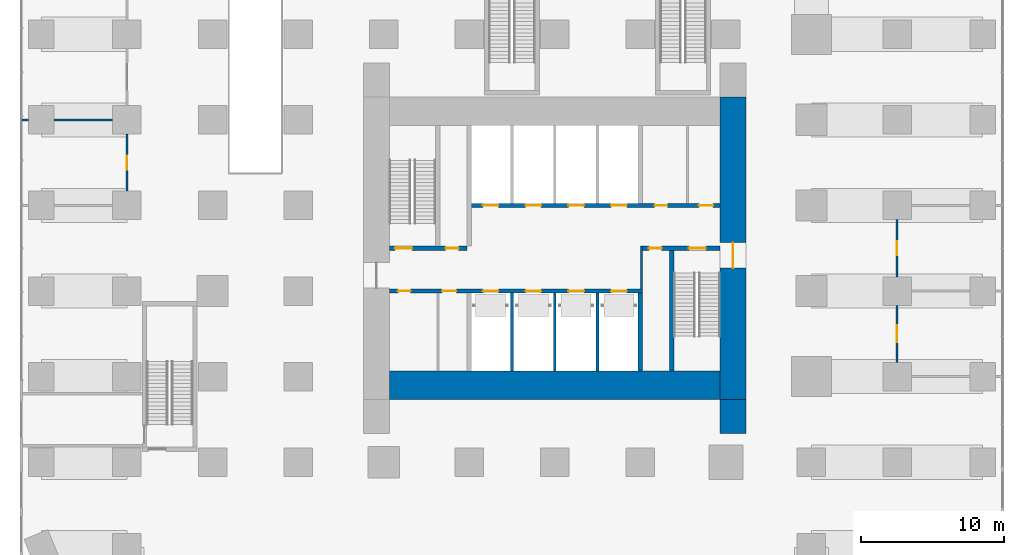
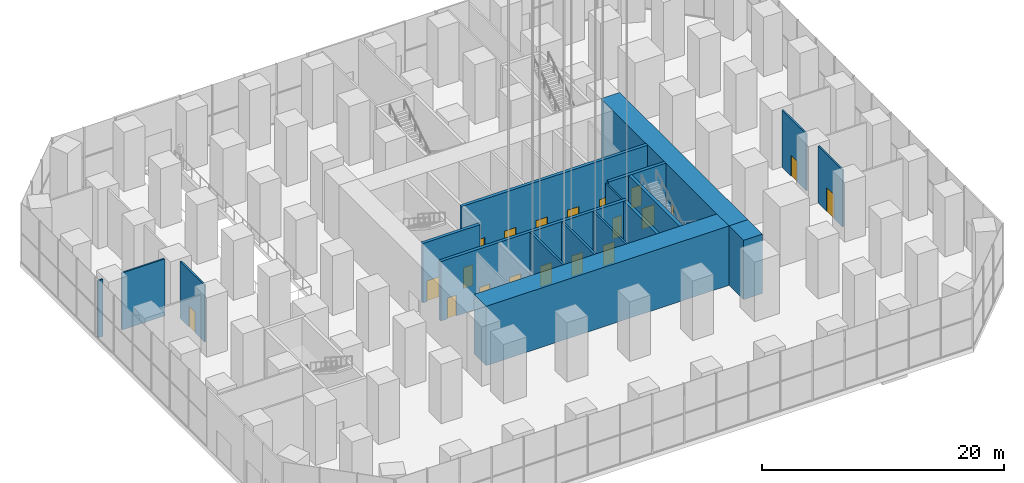
# One storey, part 13 of 21: 20 doors, 18 walls, 20 openings.
"""IFC4 building model written with IfcOpenShell, lengths in metres."""

from ifc_helpers import new_model, si_unit, direction, frame, frame_2d, origin, place, context, subcontext, project, spatial, rectangle, extrude, material, layer, layer_set, type_object, element, fill, save


model = new_model("IFC4")

# Units and contexts
model_context = context("Model", 3, precision=1e-05, world=origin(), true_north=direction((0.0, 1.0)))
body_context = subcontext(model_context, "Body", "Model", "MODEL_VIEW")
ifc_project = project(units=[si_unit("LENGTHUNIT", "METRE"), si_unit("AREAUNIT", "SQUARE_METRE"), si_unit("VOLUMEUNIT", "CUBIC_METRE"), si_unit("PLANEANGLEUNIT", "RADIAN"), si_unit("MASSUNIT", "GRAM", prefix="KILO")], contexts=[model_context])

# Site, building, storey
site_placement = place(None, origin())
site = spatial("IfcSite", under=ifc_project, at=site_placement, CompositionType="ELEMENT")
building_placement = place(site_placement, origin())
building = spatial("IfcBuilding", under=site, at=building_placement, Name="Highveld Stack Headquarters", CompositionType="ELEMENT")
storey_placement = place(building_placement, origin())
storey = spatial("IfcBuildingStorey", under=building, at=storey_placement, Name="L00", CompositionType="ELEMENT", Elevation=0.0)

# Wall, opening, door
ifc_material_1 = material(Name="Concrete C60/75", Category="concrete")
ifc_layer_1 = layer(ifc_material_1, 1.800048828125)
ifc_layer_set_1 = layer_set([ifc_layer_1], Name="Concrete C60/75")
wall_type_1 = type_object("IfcWallType", Name="CORE WALL 1800 C60/75", PredefinedType="SHEAR", material=ifc_layer_set_1)
wall_1_placement = place(storey_placement, frame((18.5, -7.60009765625, 0.0), z_axis=(0.0, 0.0, 1.0), x_axis=(0.0, 1.0, 0.0)))
wall_1 = element("IfcWall", 1, at=wall_1_placement, inside=storey, type_object=wall_type_1, Name="Core wall E L00", PredefinedType="SHEAR", context=body_context, shape_type="SweptSolid", body=[
    extrude(rectangle(XDim=21.2001953125, YDim=1.800048828125, at=frame_2d((10.60009765625, 0.0))), origin(), (0.0, 0.0, 1.0), 6.0),
])
opening_1_placement = place(wall_1_placement, frame((9.199951171875, 0.0, 0.0)))
opening_1 = element("IfcOpeningElement", 2, at=opening_1_placement, cuts=wall_1, Name="Opening L00-08", PredefinedType="OPENING", context=body_context, shape_type="SweptSolid", body=[
    extrude(rectangle(XDim=1.800048828125, YDim=2.39990234375, at=frame_2d((0.89990234375, 1.199951171875))), frame((0.0, 0.909912109375, 0.0), z_axis=(0.0, -1.0, 0.0), x_axis=(1.0, 0.0, 0.0)), (0.0, 0.0, 1.0), 1.820068359375),
])
ifc_material_2 = material(Name="Steel fire door", Category="steel")
door_type_1 = type_object("IfcDoorType", Name="LOBBY FIRE DOOR D4 1800x2400", OperationType="DOUBLE_DOOR_SINGLE_SWING", PredefinedType="DOOR", material=ifc_material_2)
door_1_placement = place(opening_1_placement, origin())
door_1 = element("IfcDoor", 3, at=door_1_placement, inside=storey, type_object=door_type_1, Name="Core east door L00", OperationType="DOUBLE_DOOR_SINGLE_SWING", OverallHeight=2.39990234375, OverallWidth=1.800048828125, PredefinedType="DOOR", context=body_context, shape_type="SweptSolid", body=[
    extrude(rectangle(XDim=1.800048828125, YDim=2.39990234375, at=frame_2d((0.89990234375, 1.199951171875))), frame((0.0, 0.02490234375, 0.0), z_axis=(0.0, -1.0, 0.0), x_axis=(1.0, 0.0, 0.0)), (0.0, 0.0, 1.0), 0.050048828125),
])
fill(opening_1, door_1)

# Wall
ifc_material_3 = material(Name="Concrete C60/75", Category="concrete")
ifc_layer_2 = layer(ifc_material_3, 2.0)
ifc_layer_set_2 = layer_set([ifc_layer_2], Name="Concrete C60/75")
wall_type_2 = type_object("IfcWallType", Name="CORE WALL 2000 C60/75", PredefinedType="SHEAR", material=ifc_layer_set_2)
wall_2_placement = place(storey_placement, frame((-5.60009765625, -6.60009765625, 0.0), z_axis=(0.0, 0.0, 1.0), x_axis=(1.0, 0.0, 0.0)))
element("IfcWall", 4, at=wall_2_placement, inside=storey, type_object=wall_type_2, Name="Core wall S L00", PredefinedType="SHEAR", context=body_context, shape_type="SweptSolid", body=[
    extrude(rectangle(XDim=23.2001953125, YDim=2.0, at=frame_2d((11.60009765625, 0.0))), origin(), (0.0, 0.0, 1.0), 6.0),
])

# Wall, openings, doors
ifc_material_4 = material(Name="Concrete C60/75", Category="concrete")
ifc_layer_3 = layer(ifc_material_4, 0.300048828125)
ifc_layer_set_3 = layer_set([ifc_layer_3], Name="Concrete C60/75")
wall_type_3 = type_object("IfcWallType", Name="CORE WALL 300 C60/75", PredefinedType="SHEAR", material=ifc_layer_set_3)
wall_3_placement = place(storey_placement, frame((-5.60009765625, 0.0, 0.0), z_axis=(0.0, 0.0, 1.0), x_axis=(1.0, 0.0, 0.0)))
wall_3 = element("IfcWall", 5, at=wall_3_placement, inside=storey, type_object=wall_type_3, Name="Core wall I-Y0 L00", PredefinedType="SHEAR", context=body_context, shape_type="SweptSolid", body=[
    extrude(rectangle(XDim=17.75, YDim=0.300048828125, at=frame_2d((8.875, 0.0))), origin(), (0.0, 0.0, 1.0), 6.0),
])
opening_2_placement = place(wall_3_placement, frame((0.60009765625, 0.0, 0.0)))
opening_2 = element("IfcOpeningElement", 6, at=opening_2_placement, cuts=wall_3, Name="Opening L00-13", PredefinedType="OPENING", context=body_context, shape_type="SweptSolid", body=[
    extrude(rectangle(XDim=0.89990234375, YDim=2.10009765625, at=frame_2d((0.449951171875, 1.050048828125))), frame((0.0, 0.159912109375, 0.0), z_axis=(0.0, -1.0, 0.0), x_axis=(1.0, 0.0, 0.0)), (0.0, 0.0, 1.0), 0.320068359375),
])
opening_3_placement = place(wall_3_placement, frame((3.699951171875, 0.0, 0.0)))
opening_3 = element("IfcOpeningElement", 7, at=opening_3_placement, cuts=wall_3, Name="Opening L00-14", PredefinedType="OPENING", context=body_context, shape_type="SweptSolid", body=[
    extrude(rectangle(XDim=1.0, YDim=2.10009765625, at=frame_2d((0.5, 1.050048828125))), frame((0.0, 0.159912109375, 0.0), z_axis=(0.0, -1.0, 0.0), x_axis=(1.0, 0.0, 0.0)), (0.0, 0.0, 1.0), 0.320068359375),
])
opening_4_placement = place(wall_3_placement, frame((6.550048828125, 0.0, 0.0)))
opening_4 = element("IfcOpeningElement", 8, at=opening_4_placement, cuts=wall_3, Name="Opening LD", PredefinedType="OPENING", context=body_context, shape_type="SweptSolid", body=[
    extrude(rectangle(XDim=1.10009765625, YDim=2.10009765625, at=frame_2d((0.550048828125, 1.050048828125))), frame((0.0, 0.159912109375, 0.0), z_axis=(0.0, -1.0, 0.0), x_axis=(1.0, 0.0, 0.0)), (0.0, 0.0, 1.0), 0.320068359375),
])
opening_5_placement = place(wall_3_placement, frame((9.550048828125, 0.0, 0.0)))
opening_5 = element("IfcOpeningElement", 9, at=opening_5_placement, cuts=wall_3, Name="Opening LD", PredefinedType="OPENING", context=body_context, shape_type="SweptSolid", body=[
    extrude(rectangle(XDim=1.10009765625, YDim=2.10009765625, at=frame_2d((0.550048828125, 1.050048828125))), frame((0.0, 0.159912109375, 0.0), z_axis=(0.0, -1.0, 0.0), x_axis=(1.0, 0.0, 0.0)), (0.0, 0.0, 1.0), 0.320068359375),
])
opening_6_placement = place(wall_3_placement, frame((12.550048828125, 0.0, 0.0)))
opening_6 = element("IfcOpeningElement", 10, at=opening_6_placement, cuts=wall_3, Name="Opening LD", PredefinedType="OPENING", context=body_context, shape_type="SweptSolid", body=[
    extrude(rectangle(XDim=1.10009765625, YDim=2.10009765625, at=frame_2d((0.550048828125, 1.050048828125))), frame((0.0, 0.159912109375, 0.0), z_axis=(0.0, -1.0, 0.0), x_axis=(1.0, 0.0, 0.0)), (0.0, 0.0, 1.0), 0.320068359375),
])
opening_7_placement = place(wall_3_placement, frame((15.550048828125, 0.0, 0.0)))
opening_7 = element("IfcOpeningElement", 11, at=opening_7_placement, cuts=wall_3, Name="Opening LD", PredefinedType="OPENING", context=body_context, shape_type="SweptSolid", body=[
    extrude(rectangle(XDim=1.10009765625, YDim=2.10009765625, at=frame_2d((0.550048828125, 1.050048828125))), frame((0.0, 0.159912109375, 0.0), z_axis=(0.0, -1.0, 0.0), x_axis=(1.0, 0.0, 0.0)), (0.0, 0.0, 1.0), 0.320068359375),
])
ifc_material_5 = material(Name="Steel fire door", Category="steel")
door_type_2 = type_object("IfcDoorType", Name="CORE ROOM FIRE DOOR D14 1000x2100", OperationType="SINGLE_SWING_LEFT", PredefinedType="DOOR", material=ifc_material_5)
door_2_placement = place(opening_3_placement, origin())
door_2 = element("IfcDoor", 12, at=door_2_placement, inside=storey, type_object=door_type_2, Name="Cleaners store door L00", OperationType="SINGLE_SWING_LEFT", OverallHeight=2.10009765625, OverallWidth=1.0, PredefinedType="DOOR", context=body_context, shape_type="SweptSolid", body=[
    extrude(rectangle(XDim=1.0, YDim=2.10009765625, at=frame_2d((0.5, 1.050048828125))), frame((0.0, 0.02490234375, 0.0), z_axis=(0.0, -1.0, 0.0), x_axis=(1.0, 0.0, 0.0)), (0.0, 0.0, 1.0), 0.050048828125),
])
fill(opening_3, door_2)
ifc_material_6 = material(Name="Stainless steel lift landing door", Category="steel")
door_type_3 = type_object("IfcDoorType", Name="LIFT LANDING DOOR LD 1100x2100", OperationType="DOUBLE_DOOR_SLIDING", PredefinedType="USERDEFINED", material=ifc_material_6)
door_3_placement = place(opening_4_placement, origin())
door_3 = element("IfcDoor", 13, at=door_3_placement, inside=storey, type_object=door_type_3, Name="Lift landing door B1 L00", ObjectType="LIFT LANDING DOOR", OperationType="DOUBLE_DOOR_SLIDING", OverallHeight=2.10009765625, OverallWidth=1.10009765625, PredefinedType="USERDEFINED", context=body_context, shape_type="SweptSolid", body=[
    extrude(rectangle(XDim=1.10009765625, YDim=2.10009765625, at=frame_2d((0.550048828125, 1.050048828125))), frame((0.0, 0.02490234375, 0.0), z_axis=(0.0, -1.0, 0.0), x_axis=(1.0, 0.0, 0.0)), (0.0, 0.0, 1.0), 0.050048828125),
])
fill(opening_4, door_3)
door_4_placement = place(opening_5_placement, origin())
door_4 = element("IfcDoor", 14, at=door_4_placement, inside=storey, type_object=door_type_3, Name="Lift landing door B2 L00", ObjectType="LIFT LANDING DOOR", OperationType="DOUBLE_DOOR_SLIDING", OverallHeight=2.10009765625, OverallWidth=1.10009765625, PredefinedType="USERDEFINED", context=body_context, shape_type="SweptSolid", body=[
    extrude(rectangle(XDim=1.10009765625, YDim=2.10009765625, at=frame_2d((0.550048828125, 1.050048828125))), frame((0.0, 0.02490234375, 0.0), z_axis=(0.0, -1.0, 0.0), x_axis=(1.0, 0.0, 0.0)), (0.0, 0.0, 1.0), 0.050048828125),
])
fill(opening_5, door_4)
door_5_placement = place(opening_6_placement, origin())
door_5 = element("IfcDoor", 15, at=door_5_placement, inside=storey, type_object=door_type_3, Name="Lift landing door C1 L00", ObjectType="LIFT LANDING DOOR", OperationType="DOUBLE_DOOR_SLIDING", OverallHeight=2.10009765625, OverallWidth=1.10009765625, PredefinedType="USERDEFINED", context=body_context, shape_type="SweptSolid", body=[
    extrude(rectangle(XDim=1.10009765625, YDim=2.10009765625, at=frame_2d((0.550048828125, 1.050048828125))), frame((0.0, 0.02490234375, 0.0), z_axis=(0.0, -1.0, 0.0), x_axis=(1.0, 0.0, 0.0)), (0.0, 0.0, 1.0), 0.050048828125),
])
fill(opening_6, door_5)
door_6_placement = place(opening_7_placement, origin())
door_6 = element("IfcDoor", 16, at=door_6_placement, inside=storey, type_object=door_type_3, Name="Lift landing door C2 L00", ObjectType="LIFT LANDING DOOR", OperationType="DOUBLE_DOOR_SLIDING", OverallHeight=2.10009765625, OverallWidth=1.10009765625, PredefinedType="USERDEFINED", context=body_context, shape_type="SweptSolid", body=[
    extrude(rectangle(XDim=1.10009765625, YDim=2.10009765625, at=frame_2d((0.550048828125, 1.050048828125))), frame((0.0, 0.02490234375, 0.0), z_axis=(0.0, -1.0, 0.0), x_axis=(1.0, 0.0, 0.0)), (0.0, 0.0, 1.0), 0.050048828125),
])
fill(opening_7, door_6)
ifc_material_7 = material(Name="Timber door, painted", Category="wood")
door_type_4 = type_object("IfcDoorType", Name="WC DOOR D1 900x2100", OperationType="SINGLE_SWING_LEFT", PredefinedType="DOOR", material=ifc_material_7)
door_7_placement = place(opening_2_placement, origin())
door_7 = element("IfcDoor", 17, at=door_7_placement, inside=storey, type_object=door_type_4, Name="Female WC door L00", OperationType="SINGLE_SWING_LEFT", OverallHeight=2.10009765625, OverallWidth=0.89990234375, PredefinedType="DOOR", context=body_context, shape_type="SweptSolid", body=[
    extrude(rectangle(XDim=0.89990234375, YDim=2.10009765625, at=frame_2d((0.449951171875, 1.050048828125))), frame((0.0, 0.02490234375, 0.0), z_axis=(0.0, -1.0, 0.0), x_axis=(1.0, 0.0, 0.0)), (0.0, 0.0, 1.0), 0.050048828125),
])
fill(opening_2, door_7)

wall_4_placement = place(storey_placement, frame((-5.60009765625, 3.0, 0.0), z_axis=(0.0, 0.0, 1.0), x_axis=(1.0, 0.0, 0.0)))
wall_4 = element("IfcWall", 18, at=wall_4_placement, inside=storey, type_object=wall_type_3, Name="Core wall I-Y3W L00", PredefinedType="SHEAR", context=body_context, shape_type="SweptSolid", body=[
    extrude(rectangle(XDim=5.4501953125, YDim=0.300048828125, at=frame_2d((2.72509765625, 0.0))), origin(), (0.0, 0.0, 1.0), 6.0),
])
opening_8_placement = place(wall_4_placement, frame((0.39990234375, 0.0, 0.0)))
opening_8 = element("IfcOpeningElement", 19, at=opening_8_placement, cuts=wall_4, Name="Opening L00-09", PredefinedType="OPENING", context=body_context, shape_type="SweptSolid", body=[
    extrude(rectangle(XDim=1.199951171875, YDim=2.10009765625, at=frame_2d((0.60009765625, 1.050048828125))), frame((0.0, 0.159912109375, 0.0), z_axis=(0.0, -1.0, 0.0), x_axis=(1.0, 0.0, 0.0)), (0.0, 0.0, 1.0), 0.320068359375),
])
opening_9_placement = place(wall_4_placement, frame((3.949951171875, 0.0, 0.0)))
opening_9 = element("IfcOpeningElement", 20, at=opening_9_placement, cuts=wall_4, Name="Opening L00-10", PredefinedType="OPENING", context=body_context, shape_type="SweptSolid", body=[
    extrude(rectangle(XDim=0.89990234375, YDim=2.10009765625, at=frame_2d((0.449951171875, 1.050048828125))), frame((0.0, 0.159912109375, 0.0), z_axis=(0.0, -1.0, 0.0), x_axis=(1.0, 0.0, 0.0)), (0.0, 0.0, 1.0), 0.320068359375),
])
ifc_material_8 = material(Name="Steel fire door", Category="steel")
door_type_5 = type_object("IfcDoorType", Name="RISER ACCESS DOOR D5 900x2100", OperationType="SINGLE_SWING_LEFT", PredefinedType="DOOR", material=ifc_material_8)
door_8_placement = place(opening_9_placement, origin())
door_8 = element("IfcDoor", 21, at=door_8_placement, inside=storey, type_object=door_type_5, Name="Riser R1 door L00", OperationType="SINGLE_SWING_RIGHT", OverallHeight=2.10009765625, OverallWidth=0.89990234375, PredefinedType="DOOR", context=body_context, shape_type="SweptSolid", body=[
    extrude(rectangle(XDim=0.89990234375, YDim=2.10009765625, at=frame_2d((0.449951171875, 1.050048828125))), frame((0.0, 0.02490234375, 0.0), z_axis=(0.0, -1.0, 0.0), x_axis=(1.0, 0.0, 0.0)), (0.0, 0.0, 1.0), 0.050048828125),
])
fill(opening_9, door_8)
ifc_material_9 = material(Name="Steel fire door", Category="steel")
door_type_6 = type_object("IfcDoorType", Name="STAIR FIRE DOOR D3 1200x2100", OperationType="SINGLE_SWING_LEFT", PredefinedType="DOOR", material=ifc_material_9)
door_9_placement = place(opening_8_placement, origin())
door_9 = element("IfcDoor", 22, at=door_9_placement, inside=storey, type_object=door_type_6, Name="Stair S1 door L00", OperationType="SINGLE_SWING_LEFT", OverallHeight=2.10009765625, OverallWidth=1.199951171875, PredefinedType="DOOR", context=body_context, shape_type="SweptSolid", body=[
    extrude(rectangle(XDim=1.199951171875, YDim=2.10009765625, at=frame_2d((0.60009765625, 1.050048828125))), frame((0.0, 0.02490234375, 0.0), z_axis=(0.0, -1.0, 0.0), x_axis=(1.0, 0.0, 0.0)), (0.0, 0.0, 1.0), 0.050048828125),
])
fill(opening_8, door_9)

wall_5_placement = place(storey_placement, frame((12.14990234375, 3.0, 0.0), z_axis=(0.0, 0.0, 1.0), x_axis=(1.0, 0.0, 0.0)))
wall_5 = element("IfcWall", 23, at=wall_5_placement, inside=storey, type_object=wall_type_3, Name="Core wall I-Y3E L00", PredefinedType="SHEAR", context=body_context, shape_type="SweptSolid", body=[
    extrude(rectangle(XDim=5.4501953125, YDim=0.300048828125, at=frame_2d((2.72509765625, 0.0))), origin(), (0.0, 0.0, 1.0), 6.0),
])
opening_10_placement = place(wall_5_placement, frame((3.25, 0.0, 0.0)))
opening_10 = element("IfcOpeningElement", 24, at=opening_10_placement, cuts=wall_5, Name="Opening L00-11", PredefinedType="OPENING", context=body_context, shape_type="SweptSolid", body=[
    extrude(rectangle(XDim=1.199951171875, YDim=2.10009765625, at=frame_2d((0.60009765625, 1.050048828125))), frame((0.0, 0.159912109375, 0.0), z_axis=(0.0, -1.0, 0.0), x_axis=(1.0, 0.0, 0.0)), (0.0, 0.0, 1.0), 0.320068359375),
])
opening_11_placement = place(wall_5_placement, frame((0.449951171875, 0.0, 0.0)))
opening_11 = element("IfcOpeningElement", 25, at=opening_11_placement, cuts=wall_5, Name="Opening L00-12", PredefinedType="OPENING", context=body_context, shape_type="SweptSolid", body=[
    extrude(rectangle(XDim=0.89990234375, YDim=2.10009765625, at=frame_2d((0.449951171875, 1.050048828125))), frame((0.0, 0.159912109375, 0.0), z_axis=(0.0, -1.0, 0.0), x_axis=(1.0, 0.0, 0.0)), (0.0, 0.0, 1.0), 0.320068359375),
])
door_10_placement = place(opening_11_placement, origin())
door_10 = element("IfcDoor", 26, at=door_10_placement, inside=storey, type_object=door_type_5, Name="Riser R2 door L00", OperationType="SINGLE_SWING_LEFT", OverallHeight=2.10009765625, OverallWidth=0.89990234375, PredefinedType="DOOR", context=body_context, shape_type="SweptSolid", body=[
    extrude(rectangle(XDim=0.89990234375, YDim=2.10009765625, at=frame_2d((0.449951171875, 1.050048828125))), frame((0.0, 0.02490234375, 0.0), z_axis=(0.0, -1.0, 0.0), x_axis=(1.0, 0.0, 0.0)), (0.0, 0.0, 1.0), 0.050048828125),
])
fill(opening_11, door_10)
door_11_placement = place(opening_10_placement, origin())
door_11 = element("IfcDoor", 27, at=door_11_placement, inside=storey, type_object=door_type_6, Name="Stair S2 door L00", OperationType="SINGLE_SWING_RIGHT", OverallHeight=2.10009765625, OverallWidth=1.199951171875, PredefinedType="DOOR", context=body_context, shape_type="SweptSolid", body=[
    extrude(rectangle(XDim=1.199951171875, YDim=2.10009765625, at=frame_2d((0.60009765625, 1.050048828125))), frame((0.0, 0.02490234375, 0.0), z_axis=(0.0, -1.0, 0.0), x_axis=(1.0, 0.0, 0.0)), (0.0, 0.0, 1.0), 0.050048828125),
])
fill(opening_10, door_11)

wall_6_placement = place(storey_placement, frame((-0.14990234375, 6.0, 0.0), z_axis=(0.0, 0.0, 1.0), x_axis=(1.0, 0.0, 0.0)))
wall_6 = element("IfcWall", 28, at=wall_6_placement, inside=storey, type_object=wall_type_3, Name="Core wall I-Y6 L00", PredefinedType="SHEAR", context=body_context, shape_type="SweptSolid", body=[
    extrude(rectangle(XDim=17.75, YDim=0.300048828125, at=frame_2d((8.875, 0.0))), origin(), (0.0, 0.0, 1.0), 6.0),
])
opening_12_placement = place(wall_6_placement, frame((13.14990234375, 0.0, 0.0)))
opening_12 = element("IfcOpeningElement", 29, at=opening_12_placement, cuts=wall_6, Name="Opening L00-15", PredefinedType="OPENING", context=body_context, shape_type="SweptSolid", body=[
    extrude(rectangle(XDim=0.89990234375, YDim=2.10009765625, at=frame_2d((0.449951171875, 1.050048828125))), frame((0.0, 0.159912109375, 0.0), z_axis=(0.0, -1.0, 0.0), x_axis=(1.0, 0.0, 0.0)), (0.0, 0.0, 1.0), 0.320068359375),
])
opening_13_placement = place(wall_6_placement, frame((16.25, 0.0, 0.0)))
opening_13 = element("IfcOpeningElement", 30, at=opening_13_placement, cuts=wall_6, Name="Opening L00-16", PredefinedType="OPENING", context=body_context, shape_type="SweptSolid", body=[
    extrude(rectangle(XDim=1.0, YDim=2.10009765625, at=frame_2d((0.5, 1.050048828125))), frame((0.0, 0.159912109375, 0.0), z_axis=(0.0, -1.0, 0.0), x_axis=(1.0, 0.0, 0.0)), (0.0, 0.0, 1.0), 0.320068359375),
])
opening_14_placement = place(wall_6_placement, frame((1.10009765625, 0.0, 0.0)))
opening_14 = element("IfcOpeningElement", 31, at=opening_14_placement, cuts=wall_6, Name="Opening LD", PredefinedType="OPENING", context=body_context, shape_type="SweptSolid", body=[
    extrude(rectangle(XDim=1.10009765625, YDim=2.10009765625, at=frame_2d((0.550048828125, 1.050048828125))), frame((0.0, 0.159912109375, 0.0), z_axis=(0.0, -1.0, 0.0), x_axis=(1.0, 0.0, 0.0)), (0.0, 0.0, 1.0), 0.320068359375),
])
opening_15_placement = place(wall_6_placement, frame((4.10009765625, 0.0, 0.0)))
opening_15 = element("IfcOpeningElement", 32, at=opening_15_placement, cuts=wall_6, Name="Opening LD", PredefinedType="OPENING", context=body_context, shape_type="SweptSolid", body=[
    extrude(rectangle(XDim=1.10009765625, YDim=2.10009765625, at=frame_2d((0.550048828125, 1.050048828125))), frame((0.0, 0.159912109375, 0.0), z_axis=(0.0, -1.0, 0.0), x_axis=(1.0, 0.0, 0.0)), (0.0, 0.0, 1.0), 0.320068359375),
])
opening_16_placement = place(wall_6_placement, frame((7.10009765625, 0.0, 0.0)))
opening_16 = element("IfcOpeningElement", 33, at=opening_16_placement, cuts=wall_6, Name="Opening LD", PredefinedType="OPENING", context=body_context, shape_type="SweptSolid", body=[
    extrude(rectangle(XDim=1.10009765625, YDim=2.10009765625, at=frame_2d((0.550048828125, 1.050048828125))), frame((0.0, 0.159912109375, 0.0), z_axis=(0.0, -1.0, 0.0), x_axis=(1.0, 0.0, 0.0)), (0.0, 0.0, 1.0), 0.320068359375),
])
opening_17_placement = place(wall_6_placement, frame((10.10009765625, 0.0, 0.0)))
opening_17 = element("IfcOpeningElement", 34, at=opening_17_placement, cuts=wall_6, Name="Opening LD", PredefinedType="OPENING", context=body_context, shape_type="SweptSolid", body=[
    extrude(rectangle(XDim=1.10009765625, YDim=2.10009765625, at=frame_2d((0.550048828125, 1.050048828125))), frame((0.0, 0.159912109375, 0.0), z_axis=(0.0, -1.0, 0.0), x_axis=(1.0, 0.0, 0.0)), (0.0, 0.0, 1.0), 0.320068359375),
])
ifc_material_10 = material(Name="Timber door, painted", Category="wood")
door_type_7 = type_object("IfcDoorType", Name="ACCESSIBLE WC DOOR D2 1000x2100", OperationType="SINGLE_SWING_RIGHT", PredefinedType="DOOR", material=ifc_material_10)
door_12_placement = place(opening_13_placement, origin())
door_12 = element("IfcDoor", 35, at=door_12_placement, inside=storey, type_object=door_type_7, Name="Accessible WC door L00", OperationType="SINGLE_SWING_RIGHT", OverallHeight=2.10009765625, OverallWidth=1.0, PredefinedType="DOOR", context=body_context, shape_type="SweptSolid", body=[
    extrude(rectangle(XDim=1.0, YDim=2.10009765625, at=frame_2d((0.5, 1.050048828125))), frame((0.0, 0.02490234375, 0.0), z_axis=(0.0, -1.0, 0.0), x_axis=(1.0, 0.0, 0.0)), (0.0, 0.0, 1.0), 0.050048828125),
])
fill(opening_13, door_12)
door_13_placement = place(opening_14_placement, origin())
door_13 = element("IfcDoor", 36, at=door_13_placement, inside=storey, type_object=door_type_3, Name="Lift landing door FF1 L00", ObjectType="LIFT LANDING DOOR", OperationType="DOUBLE_DOOR_SLIDING", OverallHeight=2.10009765625, OverallWidth=1.10009765625, PredefinedType="USERDEFINED", context=body_context, shape_type="SweptSolid", body=[
    extrude(rectangle(XDim=1.10009765625, YDim=2.10009765625, at=frame_2d((0.550048828125, 1.050048828125))), frame((0.0, 0.02490234375, 0.0), z_axis=(0.0, -1.0, 0.0), x_axis=(1.0, 0.0, 0.0)), (0.0, 0.0, 1.0), 0.050048828125),
])
fill(opening_14, door_13)
door_14_placement = place(opening_15_placement, origin())
door_14 = element("IfcDoor", 37, at=door_14_placement, inside=storey, type_object=door_type_3, Name="Lift landing door FF2 L00", ObjectType="LIFT LANDING DOOR", OperationType="DOUBLE_DOOR_SLIDING", OverallHeight=2.10009765625, OverallWidth=1.10009765625, PredefinedType="USERDEFINED", context=body_context, shape_type="SweptSolid", body=[
    extrude(rectangle(XDim=1.10009765625, YDim=2.10009765625, at=frame_2d((0.550048828125, 1.050048828125))), frame((0.0, 0.02490234375, 0.0), z_axis=(0.0, -1.0, 0.0), x_axis=(1.0, 0.0, 0.0)), (0.0, 0.0, 1.0), 0.050048828125),
])
fill(opening_15, door_14)
door_15_placement = place(opening_16_placement, origin())
door_15 = element("IfcDoor", 38, at=door_15_placement, inside=storey, type_object=door_type_3, Name="Lift landing door A1 L00", ObjectType="LIFT LANDING DOOR", OperationType="DOUBLE_DOOR_SLIDING", OverallHeight=2.10009765625, OverallWidth=1.10009765625, PredefinedType="USERDEFINED", context=body_context, shape_type="SweptSolid", body=[
    extrude(rectangle(XDim=1.10009765625, YDim=2.10009765625, at=frame_2d((0.550048828125, 1.050048828125))), frame((0.0, 0.02490234375, 0.0), z_axis=(0.0, -1.0, 0.0), x_axis=(1.0, 0.0, 0.0)), (0.0, 0.0, 1.0), 0.050048828125),
])
fill(opening_16, door_15)
door_16_placement = place(opening_17_placement, origin())
door_16 = element("IfcDoor", 39, at=door_16_placement, inside=storey, type_object=door_type_3, Name="Lift landing door A2 L00", ObjectType="LIFT LANDING DOOR", OperationType="DOUBLE_DOOR_SLIDING", OverallHeight=2.10009765625, OverallWidth=1.10009765625, PredefinedType="USERDEFINED", context=body_context, shape_type="SweptSolid", body=[
    extrude(rectangle(XDim=1.10009765625, YDim=2.10009765625, at=frame_2d((0.550048828125, 1.050048828125))), frame((0.0, 0.02490234375, 0.0), z_axis=(0.0, -1.0, 0.0), x_axis=(1.0, 0.0, 0.0)), (0.0, 0.0, 1.0), 0.050048828125),
])
fill(opening_17, door_16)
door_17_placement = place(opening_12_placement, origin())
door_17 = element("IfcDoor", 40, at=door_17_placement, inside=storey, type_object=door_type_4, Name="Male WC door L00", OperationType="SINGLE_SWING_RIGHT", OverallHeight=2.10009765625, OverallWidth=0.89990234375, PredefinedType="DOOR", context=body_context, shape_type="SweptSolid", body=[
    extrude(rectangle(XDim=0.89990234375, YDim=2.10009765625, at=frame_2d((0.449951171875, 1.050048828125))), frame((0.0, 0.02490234375, 0.0), z_axis=(0.0, -1.0, 0.0), x_axis=(1.0, 0.0, 0.0)), (0.0, 0.0, 1.0), 0.050048828125),
])
fill(opening_12, door_17)

# Walls
wall_7_placement = place(storey_placement, frame((12.0, -5.60009765625, 0.0), z_axis=(0.0, 0.0, 1.0), x_axis=(0.0, 1.0, 0.0)))
element("IfcWall", 41, at=wall_7_placement, inside=storey, type_object=wall_type_3, Name="Core wall I-X12S L00", PredefinedType="SHEAR", context=body_context, shape_type="SweptSolid", body=[
    extrude(rectangle(XDim=5.4501953125, YDim=0.300048828125, at=frame_2d((2.72509765625, 0.0))), origin(), (0.0, 0.0, 1.0), 6.0),
])
wall_8_placement = place(storey_placement, frame((14.199951171875, -5.60009765625, 0.0), z_axis=(0.0, 0.0, 1.0), x_axis=(0.0, 1.0, 0.0)))
element("IfcWall", 42, at=wall_8_placement, inside=storey, type_object=wall_type_3, Name="Core wall I-RE L00", PredefinedType="SHEAR", context=body_context, shape_type="SweptSolid", body=[
    extrude(rectangle(XDim=8.4501953125, YDim=0.300048828125, at=frame_2d((4.22509765625, 0.0))), origin(), (0.0, 0.0, 1.0), 6.0),
])
ifc_material_11 = material(Name="Concrete C60/75", Category="concrete")
ifc_layer_4 = layer(ifc_material_11, 1.800048828125)
ifc_layer_set_4 = layer_set([ifc_layer_4], Name="Concrete C60/75")
wall_type_4 = type_object("IfcWallType", Name="CORE WING WALL 1800 C60/75", PredefinedType="SHEAR", material=ifc_layer_set_4)
wall_9_placement = place(storey_placement, frame((18.5, -10.0, 0.0), z_axis=(0.0, 0.0, 1.0), x_axis=(0.0, 1.0, 0.0)))
element("IfcWall", 43, at=wall_9_placement, inside=storey, type_object=wall_type_4, Name="Core wing wall ES L00", PredefinedType="SHEAR", context=body_context, shape_type="SweptSolid", body=[
    extrude(rectangle(XDim=2.39990234375, YDim=1.800048828125, at=frame_2d((1.199951171875, 0.0))), origin(), (0.0, 0.0, 1.0), 6.0),
])

# Wall, opening, door
ifc_material_12 = material(Name="Concrete blockwork, plastered", Category="masonry")
ifc_layer_5 = layer(ifc_material_12, 0.14990234375)
ifc_layer_set_5 = layer_set([ifc_layer_5], Name="Concrete blockwork, plastered")
wall_type_5 = type_object("IfcWallType", Name="FIRE PARTITION 150 BLOCKWORK", PredefinedType="PARTITIONING", material=ifc_layer_set_5)
wall_10_placement = place(storey_placement, frame((30.0, -5.0, 0.0), z_axis=(0.0, 0.0, 1.0), x_axis=(0.0, 1.0, 0.0)))
wall_10 = element("IfcWall", 44, at=wall_10_placement, inside=storey, type_object=wall_type_5, Name="Partition Fire control room L00", PredefinedType="PARTITIONING", context=body_context, shape_type="SweptSolid", body=[
    extrude(rectangle(XDim=4.0, YDim=0.14990234375, at=frame_2d((2.0, 0.0))), origin(), (0.0, 0.0, 1.0), 5.75),
])
opening_18_placement = place(wall_10_placement, frame((1.39990234375, 0.0, 0.0)))
opening_18 = element("IfcOpeningElement", 45, at=opening_18_placement, cuts=wall_10, Name="Opening L00-20", PredefinedType="OPENING", context=body_context, shape_type="SweptSolid", body=[
    extrude(rectangle(XDim=1.199951171875, YDim=2.39990234375, at=frame_2d((0.60009765625, 1.199951171875))), frame((0.0, 0.0849609375, 0.0), z_axis=(0.0, -1.0, 0.0), x_axis=(1.0, 0.0, 0.0)), (0.0, 0.0, 1.0), 0.169921875),
])
ifc_material_13 = material(Name="Steel fire door", Category="steel")
door_type_8 = type_object("IfcDoorType", Name="PLANT FIRE DOOR D7 1200x2400", OperationType="SINGLE_SWING_LEFT", PredefinedType="DOOR", material=ifc_material_13)
door_18_placement = place(opening_18_placement, origin())
door_18 = element("IfcDoor", 46, at=door_18_placement, inside=storey, type_object=door_type_8, Name="Fire control room door 1 L00", OperationType="SINGLE_SWING_RIGHT", OverallHeight=2.39990234375, OverallWidth=1.199951171875, PredefinedType="DOOR", context=body_context, shape_type="SweptSolid", body=[
    extrude(rectangle(XDim=1.199951171875, YDim=2.39990234375, at=frame_2d((0.60009765625, 1.199951171875))), frame((0.0, 0.02490234375, 0.0), z_axis=(0.0, -1.0, 0.0), x_axis=(1.0, 0.0, 0.0)), (0.0, 0.0, 1.0), 0.050048828125),
])
fill(opening_18, door_18)

# Walls
wall_11_placement = place(storey_placement, frame((12.074951171875, 0.14990234375, 0.0), z_axis=(0.0, 0.0, 1.0), x_axis=(0.0, 1.0, 0.0)))
element("IfcWall", 47, at=wall_11_placement, inside=storey, type_object=wall_type_5, Name="Riser R2 enclosure L00", PredefinedType="PARTITIONING", context=body_context, shape_type="SweptSolid", body=[
    extrude(rectangle(XDim=3.0, YDim=0.14990234375, at=frame_2d((1.5, 0.0))), origin(), (0.0, 0.0, 1.0), 5.75),
])
ifc_material_14 = material(Name="Concrete blockwork, fair-faced", Category="masonry")
ifc_layer_6 = layer(ifc_material_14, 0.199951171875)
ifc_layer_set_6 = layer_set([ifc_layer_6], Name="Concrete blockwork, fair-faced")
wall_type_6 = type_object("IfcWallType", Name="LIFT SHAFT ENCLOSURE WALL 200 BLOCKWORK", PredefinedType="SOLIDWALL", material=ifc_layer_set_6)
for number, where, z_axis, x_axis, name in (
    (48, (3.0, -5.60009765625, 0.0), (0.0, 0.0, 1.0), (0.0, 1.0, 0.0), "Lift shaft wall L00"),
    (49, (6.0, -5.60009765625, 0.0), (0.0, 0.0, 1.0), (0.0, 1.0, 0.0), "Lift shaft wall L00"),
    (50, (9.0, -5.60009765625, 0.0), (0.0, 0.0, 1.0), (0.0, 1.0, 0.0), "Lift shaft wall L00"),
):
    element("IfcWall", number, at=place(storey_placement, frame(where, z_axis=z_axis, x_axis=x_axis)), inside=storey, type_object=wall_type_6, Name=name, PredefinedType="SOLIDWALL", context=body_context, shape_type="SweptSolid", body=[
        extrude(rectangle(XDim=5.4501953125, YDim=0.199951171875, at=frame_2d((2.72509765625, 0.0))), origin(), (0.0, 0.0, 1.0), 6.0),
    ])
ifc_material_15 = material(Name="Gypsum plasterboard on steel studs", Category="steel")
ifc_layer_7 = layer(ifc_material_15, 0.14990234375)
ifc_layer_set_7 = layer_set([ifc_layer_7], Name="Gypsum plasterboard on steel studs")
wall_type_7 = type_object("IfcWallType", Name="PARTITION 150 PLASTERBOARD", PredefinedType="PARTITIONING", material=ifc_layer_set_7)
wall_12_placement = place(storey_placement, frame((-31.375, 12.0, 0.0), z_axis=(0.0, 0.0, 1.0), x_axis=(1.0, 0.0, 0.0)))
element("IfcWall", 51, at=wall_12_placement, inside=storey, type_object=wall_type_7, Name="Partition Cafe / Mail room L00", PredefinedType="PARTITIONING", context=body_context, shape_type="SweptSolid", body=[
    extrude(rectangle(XDim=0.47509765625, YDim=0.14990234375, at=frame_2d((0.237548828125, 0.0))), origin(), (0.0, 0.0, 1.0), 5.75),
])
wall_13_placement = place(storey_placement, frame((-29.10009765625, 12.0, 0.0), z_axis=(0.0, 0.0, 1.0), x_axis=(1.0, 0.0, 0.0)))
element("IfcWall", 52, at=wall_13_placement, inside=storey, type_object=wall_type_7, Name="Partition Cafe / Mail room L00", PredefinedType="PARTITIONING", context=body_context, shape_type="SweptSolid", body=[
    extrude(rectangle(XDim=4.10009765625, YDim=0.14990234375, at=frame_2d((2.050048828125, 0.0))), origin(), (0.0, 0.0, 1.0), 5.75),
])

# Wall, opening, door
wall_14_placement = place(storey_placement, frame((-24.0, 7.0, 0.0), z_axis=(0.0, 0.0, 1.0), x_axis=(0.0, 1.0, 0.0)))
wall_14 = element("IfcWall", 53, at=wall_14_placement, inside=storey, type_object=wall_type_7, Name="Partition Mail room L00", PredefinedType="PARTITIONING", context=body_context, shape_type="SweptSolid", body=[
    extrude(rectangle(XDim=4.0, YDim=0.14990234375, at=frame_2d((2.0, 0.0))), origin(), (0.0, 0.0, 1.0), 5.75),
])
opening_19_placement = place(wall_14_placement, frame((1.5, 0.0, 0.0)))
opening_19 = element("IfcOpeningElement", 54, at=opening_19_placement, cuts=wall_14, Name="Opening L00-22", PredefinedType="OPENING", context=body_context, shape_type="SweptSolid", body=[
    extrude(rectangle(XDim=1.0, YDim=2.10009765625, at=frame_2d((0.5, 1.050048828125))), frame((0.0, 0.0849609375, 0.0), z_axis=(0.0, -1.0, 0.0), x_axis=(1.0, 0.0, 0.0)), (0.0, 0.0, 1.0), 0.169921875),
])
ifc_material_16 = material(Name="Timber door, oiled ash", Category="wood")
door_type_9 = type_object("IfcDoorType", Name="ROOM DOOR D6 1000x2100", OperationType="SINGLE_SWING_LEFT", PredefinedType="DOOR", material=ifc_material_16)
door_19_placement = place(opening_19_placement, origin())
door_19 = element("IfcDoor", 55, at=door_19_placement, inside=storey, type_object=door_type_9, Name="Mail room door 1 L00", OperationType="SINGLE_SWING_RIGHT", OverallHeight=2.10009765625, OverallWidth=1.0, PredefinedType="DOOR", context=body_context, shape_type="SweptSolid", body=[
    extrude(rectangle(XDim=1.0, YDim=2.10009765625, at=frame_2d((0.5, 1.050048828125))), frame((0.0, 0.02490234375, 0.0), z_axis=(0.0, -1.0, 0.0), x_axis=(1.0, 0.0, 0.0)), (0.0, 0.0, 1.0), 0.050048828125),
])
fill(opening_19, door_19)

wall_15_placement = place(storey_placement, frame((30.0, 1.0, 0.0), z_axis=(0.0, 0.0, 1.0), x_axis=(0.0, 1.0, 0.0)))
wall_15 = element("IfcWall", 56, at=wall_15_placement, inside=storey, type_object=wall_type_7, Name="Partition Security office L00", PredefinedType="PARTITIONING", context=body_context, shape_type="SweptSolid", body=[
    extrude(rectangle(XDim=4.0, YDim=0.14990234375, at=frame_2d((2.0, 0.0))), origin(), (0.0, 0.0, 1.0), 5.75),
])
opening_20_placement = place(wall_15_placement, frame((1.5, 0.0, 0.0)))
opening_20 = element("IfcOpeningElement", 57, at=opening_20_placement, cuts=wall_15, Name="Opening L00-21", PredefinedType="OPENING", context=body_context, shape_type="SweptSolid", body=[
    extrude(rectangle(XDim=1.0, YDim=2.10009765625, at=frame_2d((0.5, 1.050048828125))), frame((0.0, 0.0849609375, 0.0), z_axis=(0.0, -1.0, 0.0), x_axis=(1.0, 0.0, 0.0)), (0.0, 0.0, 1.0), 0.169921875),
])
door_20_placement = place(opening_20_placement, origin())
door_20 = element("IfcDoor", 58, at=door_20_placement, inside=storey, type_object=door_type_9, Name="Security office door 1 L00", OperationType="SINGLE_SWING_RIGHT", OverallHeight=2.10009765625, OverallWidth=1.0, PredefinedType="DOOR", context=body_context, shape_type="SweptSolid", body=[
    extrude(rectangle(XDim=1.0, YDim=2.10009765625, at=frame_2d((0.5, 1.050048828125))), frame((0.0, 0.02490234375, 0.0), z_axis=(0.0, -1.0, 0.0), x_axis=(1.0, 0.0, 0.0)), (0.0, 0.0, 1.0), 0.050048828125),
])
fill(opening_20, door_20)

save(model, "model.ifc")
